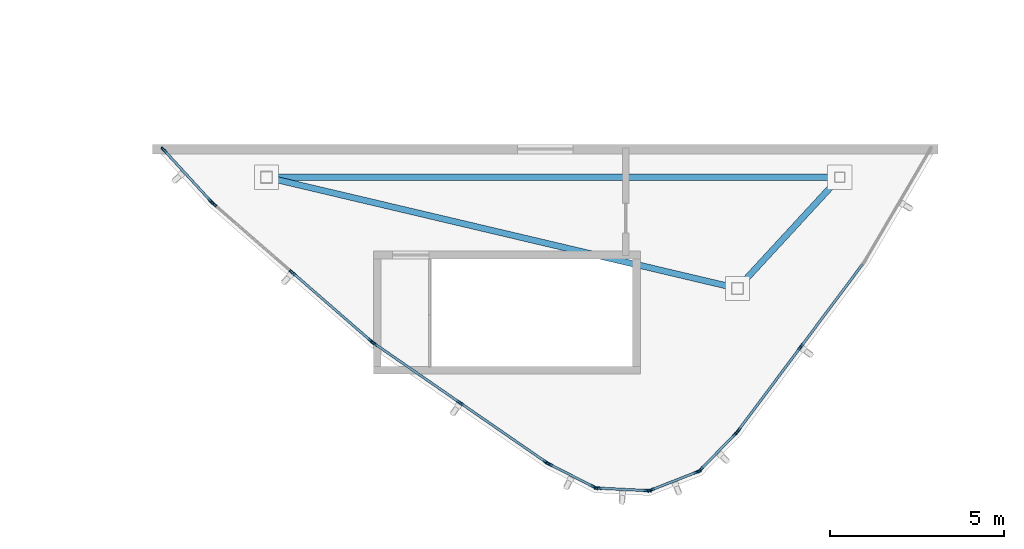
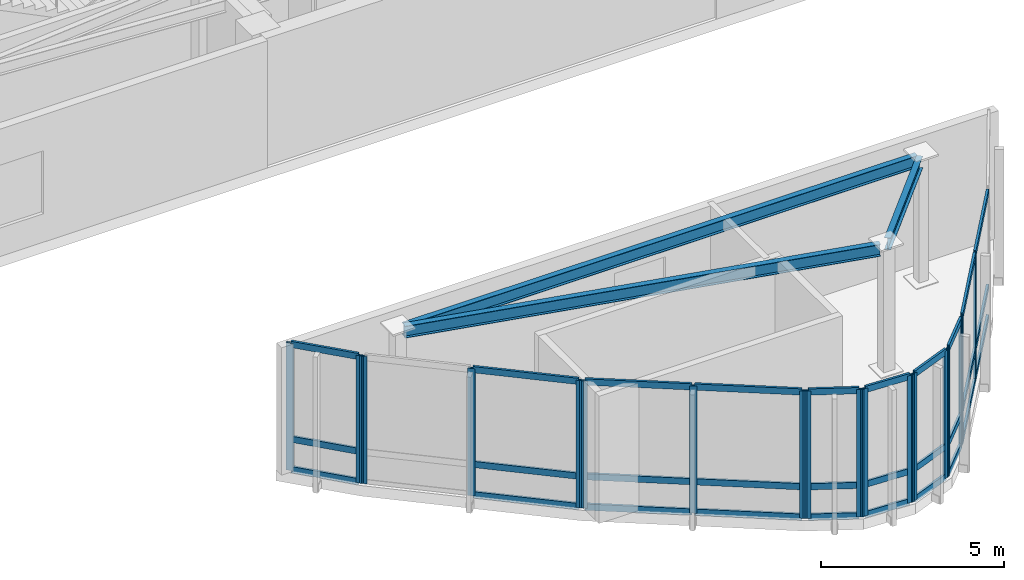
# One storey, part 2 of 15: 48 members, 3 beams, 8 elements without a shape of their own.
"""IFC4 building model written with IfcOpenShell, lengths in metres."""

import ifcopenshell
import ifcopenshell.guid

model = None  # the IFC model being written
_history = None  # IfcOwnerHistory: only IFC2X3 demands one
_inside = {}  # id of a spatial element -> (the spatial element, [elements in it])
_under = {}  # id of a project, library or spatial element -> (it, [spatial elements below it])
_declared = {}  # id of a project -> (the project, [libraries it declares])
_typed = {}  # id of a type object -> (the type object, [elements of that type])
_made_of = {}  # id of a material, layer set ... -> (it, [elements and type objects made of it])


def new_model(schema):
    """Start an empty IFC model of exactly this schema.

    Asked for "IFC4X3", IfcOpenShell would pick the latest addendum, in which some entities
    have other attributes; the version numbers below select the first issue.
    IFC2X3 requires an IfcOwnerHistory on every rooted entity: one is made here for all.
    """
    global model, _history
    if schema == "IFC4X3":
        model = ifcopenshell.file(schema_version=(4, 3, 0, 0))
    else:
        model = ifcopenshell.file(schema=schema)
    _inside.clear()
    _under.clear()
    _declared.clear()
    _typed.clear()
    _made_of.clear()
    _history = None
    if model.schema == "IFC2X3":
        org = make("IfcOrganization", Name="unknown")
        user = make(
            "IfcPersonAndOrganization",
            ThePerson=make("IfcPerson", FamilyName="unknown"),
            TheOrganization=org,
        )
        app = make(
            "IfcApplication",
            ApplicationDeveloper=org,
            Version="unknown",
            ApplicationFullName="unknown",
            ApplicationIdentifier="unknown",
        )
        _history = make(
            "IfcOwnerHistory",
            OwningUser=user,
            OwningApplication=app,
            ChangeAction="ADDED",
            CreationDate=0,
        )
    return model


def make(cls, **values):
    """One entity of the class cls with the attributes given. An attribute that is None is left unset."""
    return model.create_entity(
        cls, **{name: value for name, value in values.items() if value is not None}
    )


def rooted(cls, **values):
    """An entity with a GlobalId (a new one), such as an element, a storey or a relation."""
    return make(cls, GlobalId=ifcopenshell.guid.new(), OwnerHistory=_history, **values)


def si_unit(unit_type, name, prefix=None):
    """IfcSIUnit, for example si_unit("LENGTHUNIT", "METRE", prefix="MILLI")."""
    return make("IfcSIUnit", UnitType=unit_type, Prefix=prefix, Name=name)


def assignment(units):
    """IfcUnitAssignment: the units of a project."""
    return None if units is None else make("IfcUnitAssignment", Units=units)


def point(xyz):
    """IfcCartesianPoint."""
    return None if xyz is None else make("IfcCartesianPoint", Coordinates=xyz)


def direction(xyz):
    """IfcDirection."""
    return None if xyz is None else make("IfcDirection", DirectionRatios=xyz)


def frame(location, z_axis=None, x_axis=None):
    """IfcAxis2Placement3D, a coordinate frame: its origin and axes. An axis left out is left unset."""
    return make(
        "IfcAxis2Placement3D",
        Location=point(location),
        Axis=direction(z_axis),
        RefDirection=direction(x_axis),
    )


def frame_2d(location, x_axis=None):
    """IfcAxis2Placement2D, a coordinate frame in the plane: its origin and x axis."""
    return make(
        "IfcAxis2Placement2D", Location=point(location), RefDirection=direction(x_axis)
    )


def origin():
    """The frame at (0, 0, 0) with its axes left unset."""
    return frame((0.0, 0.0, 0.0))


def origin_2d():
    """The frame at (0, 0) in the plane with its x axis left unset."""
    return frame_2d((0.0, 0.0))


def place(relative_to, where):
    """IfcLocalPlacement: puts the frame where relative to a parent placement (None: the world)."""
    return make(
        "IfcLocalPlacement", PlacementRelTo=relative_to, RelativePlacement=where
    )


def context(
    kind, dimensions, precision=None, world=None, true_north=None, identifier=None
):
    """IfcGeometricRepresentationContext, for example the 3D "Model" context."""
    return make(
        "IfcGeometricRepresentationContext",
        ContextIdentifier=identifier,
        ContextType=kind,
        CoordinateSpaceDimension=dimensions,
        Precision=precision,
        WorldCoordinateSystem=world,
        TrueNorth=true_north,
    )


def subcontext(parent, identifier, kind, view, scale=None):
    """IfcGeometricRepresentationSubContext, for example "Body" below "Model"."""
    return make(
        "IfcGeometricRepresentationSubContext",
        ContextIdentifier=identifier,
        ContextType=kind,
        ParentContext=parent,
        TargetScale=scale,
        TargetView=view,
    )


def project(units=None, contexts=None):
    """IfcProject with its units and contexts."""
    return rooted(
        "IfcProject",
        Name="project",
        RepresentationContexts=contexts,
        UnitsInContext=assignment(units),
    )


def spatial(cls, under=None, at=None, **own):
    """A site, building, storey or space (cls), placed at a placement, below another one or the project."""
    s = rooted(cls, ObjectPlacement=at, **own)
    if under is not None:
        _under.setdefault(under.id(), (under, []))[1].append(s)
    return s


def profile(cls, at=None, kind="AREA", **sizes):
    """A parametric profile (cls). Its sizes go by their IFC names, for example OverallWidth=200.0."""
    return make(cls, ProfileType=kind, Position=at, **sizes)


def hollow_rectangle(**sizes):
    """IfcRectangleHollowProfileDef."""
    return profile("IfcRectangleHollowProfileDef", **sizes)


def i_section(**sizes):
    """IfcIShapeProfileDef."""
    return profile("IfcIShapeProfileDef", **sizes)


def extrude(swept, where, along, depth):
    """IfcExtrudedAreaSolid: the profile swept, set in the frame where, extruded along a direction by depth."""
    return make(
        "IfcExtrudedAreaSolid",
        SweptArea=swept,
        Position=where,
        ExtrudedDirection=direction(along),
        Depth=depth,
    )


def shape(context_of_items, identifier, shape_type, items):
    """IfcShapeRepresentation: the items that make up one representation, for example the "Body"."""
    return make(
        "IfcShapeRepresentation",
        ContextOfItems=context_of_items,
        RepresentationIdentifier=identifier,
        RepresentationType=shape_type,
        Items=items,
    )


def source(mapping_origin, context_of_items, identifier, shape_type, items):
    """IfcRepresentationMap: a shape defined once, which mapped items show again and again."""
    return make(
        "IfcRepresentationMap",
        MappingOrigin=mapping_origin,
        MappedRepresentation=shape(context_of_items, identifier, shape_type, items),
    )


def transform(
    local_origin,
    x_axis=None,
    y_axis=None,
    z_axis=None,
    scale=None,
    scale2=None,
    scale3=None,
    uniform=True,
):
    """IfcCartesianTransformationOperator3D, or its non-uniform kind. x_axis, y_axis, z_axis: its Axis1, 2, 3."""
    if uniform:
        return make(
            "IfcCartesianTransformationOperator3D",
            Axis1=direction(x_axis),
            Axis2=direction(y_axis),
            LocalOrigin=point(local_origin),
            Scale=scale,
            Axis3=direction(z_axis),
        )
    return make(
        "IfcCartesianTransformationOperator3DnonUniform",
        Axis1=direction(x_axis),
        Axis2=direction(y_axis),
        LocalOrigin=point(local_origin),
        Scale=scale,
        Axis3=direction(z_axis),
        Scale2=scale2,
        Scale3=scale3,
    )


def mapped(mapping_source, mapping_target):
    """IfcMappedItem: shows the shape of a source again, moved by a transform."""
    return make(
        "IfcMappedItem", MappingSource=mapping_source, MappingTarget=mapping_target
    )


def material(Name=None, Category=None):
    """IfcMaterial."""
    return make("IfcMaterial", Name=Name, Category=Category)


def layer(
    of_material, thickness, ventilated=None, Name=None, Category=None, Priority=None
):
    """IfcMaterialLayer: one layer of a wall or slab, of a material (None: an air gap)."""
    return make(
        "IfcMaterialLayer",
        Material=of_material,
        LayerThickness=thickness,
        IsVentilated=ventilated,
        Name=Name,
        Category=Category,
        Priority=Priority,
    )


def layer_set(layers, Name=None):
    """IfcMaterialLayerSet."""
    return make("IfcMaterialLayerSet", MaterialLayers=layers, LayerSetName=Name)


def material_profile(
    of_material, cross_section, Name=None, Category=None, Priority=None
):
    """IfcMaterialProfile: a cross section and its material."""
    return make(
        "IfcMaterialProfile",
        Name=Name,
        Material=of_material,
        Profile=cross_section,
        Priority=Priority,
        Category=Category,
    )


def profile_set(profiles, Name=None, composite=None):
    """IfcMaterialProfileSet."""
    return make(
        "IfcMaterialProfileSet",
        Name=Name,
        MaterialProfiles=profiles,
        CompositeProfile=composite,
    )


def made_of(thing, what):
    """Note that an element or type object is made of a material, layer set ...; save() writes the relation."""
    if what is not None:
        _made_of.setdefault(what.id(), (what, []))[1].append(thing)
    return thing


def type_object(cls, material=None, **own):
    """A type object (cls), such as IfcWallType, which elements share."""
    return made_of(rooted(cls, **own), material)


def type_shapes(of_type, sources):
    """Give a type object the sources (RepresentationMaps) that its elements show as mapped items."""
    of_type.RepresentationMaps = sources


def element(
    cls,
    number,
    at=None,
    inside=None,
    cuts=None,
    type_object=None,
    material=None,
    context=None,
    identifier="Body",
    shape_type=None,
    held_by="IfcProductDefinitionShape",
    body=None,
    shapes=None,
    **own,
):
    """One element of the class cls, such as IfcWall. Its Tag is "e" and its number.

    at: its placement. inside: the storey or other place that contains it. cuts: it is an
    opening in that element (IfcRelVoidsElement). A single representation is given by context,
    identifier, shape_type and body (its items); several are given by shapes. held_by: the class
    of the entity that holds the representations. save() writes the other relations.
    """
    e = rooted(cls, Tag="e%d" % number, ObjectPlacement=at, **own)
    if body is not None:
        shapes = [shape(context, identifier, shape_type, body)]
    if shapes is not None:
        e.Representation = make(held_by, Representations=shapes)
    if inside is not None:
        _inside.setdefault(inside.id(), (inside, []))[1].append(e)
    if cuts is not None:
        rooted(
            "IfcRelVoidsElement", RelatingBuildingElement=cuts, RelatedOpeningElement=e
        )
    if type_object is not None:
        _typed.setdefault(type_object.id(), (type_object, []))[1].append(e)
    return made_of(e, material)


def aggregate(whole, parts):
    """IfcRelAggregates: a whole, such as a stair, and the parts it consists of."""
    return rooted("IfcRelAggregates", RelatingObject=whole, RelatedObjects=parts)


def save(model, path):
    """Write the relations noted so far, then the file.

    IfcRelAggregates (storeys below a building ...), IfcRelContainedInSpatialStructure (elements
    in a storey), IfcRelDefinesByType, IfcRelAssociatesMaterial and IfcRelDeclares: one each for
    every whole, place, type object, material and project.
    """
    for whole, parts in _under.values():
        aggregate(whole, parts)
    for where, things in _inside.values():
        rooted(
            "IfcRelContainedInSpatialStructure",
            RelatedElements=things,
            RelatingStructure=where,
        )
    for kind, things in _typed.values():
        rooted("IfcRelDefinesByType", RelatedObjects=things, RelatingType=kind)
    for what, things in _made_of.values():
        rooted("IfcRelAssociatesMaterial", RelatedObjects=things, RelatingMaterial=what)
    for by, libraries in _declared.values():
        rooted("IfcRelDeclares", RelatingContext=by, RelatedDefinitions=libraries)
    model.write(path)


model = new_model("IFC4")

# Units and contexts
model_context = context("Model", 3, precision=1e-05, world=origin(), true_north=direction((0.0, 1.0)))
body_context = subcontext(model_context, "Body", "Model", "MODEL_VIEW")
ifc_project = project(units=[si_unit("LENGTHUNIT", "METRE"), si_unit("AREAUNIT", "SQUARE_METRE"), si_unit("VOLUMEUNIT", "CUBIC_METRE"), si_unit("PLANEANGLEUNIT", "RADIAN"), si_unit("MASSUNIT", "GRAM", prefix="KILO")], contexts=[model_context])

# Site, building, storey
site_placement = place(None, origin())
site = spatial("IfcSite", under=ifc_project, at=site_placement, CompositionType="ELEMENT")
building_placement = place(site_placement, origin())
building = spatial("IfcBuilding", under=site, at=building_placement, Name="Tavelor Broadcast Tower", CompositionType="ELEMENT")
storey_placement = place(building_placement, frame((0.0, 0.0, 341.300048828125)))
storey = spatial("IfcBuildingStorey", under=building, at=storey_placement, Name="L81", CompositionType="ELEMENT", Elevation=341.300048828125)

# Beams
ifc_material_1 = material(Name="Steel S355", Category="steel")
ifc_material_profile_1 = material_profile(ifc_material_1, i_section(OverallWidth=0.179931640625, OverallDepth=0.39990234375, WebThickness=0.008544921875, FlangeThickness=0.013427734375, at=origin_2d()), Name="IPE 400")
ifc_profile_set_1 = profile_set([ifc_material_profile_1], Name="Steel S355")
beam_type = type_object("IfcBeamType", Name="Crown Ring Spandrel Beam IPE400", PredefinedType="SPANDREL", material=ifc_profile_set_1)
beam_1_placement = place(storey_placement, frame((52.887939453125, 27.579345703125, 4.050048828125), z_axis=(0.677758220929, 0.73528483866, 0.0), x_axis=(-0.73528483866, 0.677758220929, 0.0)))
element("IfcBeam", 1, at=beam_1_placement, inside=storey, type_object=beam_type, Name="L81 Crown Peak B Ring Spandrel 1", PredefinedType="SPANDREL", context=body_context, shape_type="SweptSolid", body=[
    extrude(i_section(OverallWidth=0.179931640625, OverallDepth=0.39990234375, WebThickness=0.008544921875, FlangeThickness=0.013427734375, at=origin_2d()), origin(), (0.0, 0.0, 1.0), 4.023193359375),
])
beam_2_placement = place(storey_placement, frame((55.5654296875, 30.64990234375, 4.050048828125), z_axis=(-1.0, 0.0, 0.0), x_axis=(0.0, -1.0, 0.0)))
element("IfcBeam", 2, at=beam_2_placement, inside=storey, type_object=beam_type, Name="L81 Crown Peak B Ring Spandrel 2", PredefinedType="SPANDREL", context=body_context, shape_type="SweptSolid", body=[
    extrude(i_section(OverallWidth=0.179931640625, OverallDepth=0.39990234375, WebThickness=0.008544921875, FlangeThickness=0.013427734375, at=origin_2d()), origin(), (0.0, 0.0, 1.0), 16.189208984375),
])
beam_3_placement = place(storey_placement, frame((39.371337890625, 30.60888671875, 4.050048828125), z_axis=(0.973272024508, -0.229655320664, 0.0), x_axis=(0.229655320664, 0.973272024508, 0.0)))
element("IfcBeam", 3, at=beam_3_placement, inside=storey, type_object=beam_type, Name="L81 Crown Peak B Ring Spandrel 3", PredefinedType="SPANDREL", context=body_context, shape_type="SweptSolid", body=[
    extrude(i_section(OverallWidth=0.179931640625, OverallDepth=0.39990234375, WebThickness=0.008544921875, FlangeThickness=0.013427734375, at=origin_2d()), origin(), (0.0, 0.0, 1.0), 13.5849609375),
])

# Curtain wall, members
ifc_material_2 = material(Name="Architectural Anodized Aluminium", Category="aluminium")
ifc_layer = layer(ifc_material_2, 0.2099609375)
ifc_layer_set = layer_set([ifc_layer], Name="Architectural Anodized Aluminium")
curtain_wall_type = type_object("IfcCurtainWallType", Name="Split-Crown Beacon Curtain Wall CW06", PredefinedType="NOTDEFINED", material=ifc_layer_set)
curtain_wall_1_placement = place(storey_placement, origin())
curtain_wall_1 = element("IfcCurtainWall", 4, at=curtain_wall_1_placement, inside=storey, type_object=curtain_wall_type, Name="L81 Curtain Wall CW06 Run 946", PredefinedType="NOTDEFINED")
ifc_material_profile_2 = material_profile(ifc_material_2, hollow_rectangle(XDim=0.072021484375, YDim=0.2099609375, WallThickness=0.02197265625, at=origin_2d()), Name="RHS 72x210x22")
ifc_profile_set_2 = profile_set([ifc_material_profile_2], Name="Architectural Anodized Aluminium")
member_type_1 = type_object("IfcMemberType", Name="CW06 Extruded Aluminium Mullion 72x210", PredefinedType="MULLION", material=ifc_profile_set_2)
shared_shape_1 = source(origin(), body_context, "Body", "SweptSolid", [
    extrude(hollow_rectangle(XDim=0.072021484375, YDim=0.2099609375, WallThickness=0.02197265625, at=origin_2d()), origin(), (0.0, 0.0, 1.0), 4.25),
])
type_shapes(member_type_1, [shared_shape_1])
member_1_placement = place(storey_placement, frame((36.243408203125, 31.433349609375, 0.0), z_axis=(0.0, 0.0, 1.0), x_axis=(0.73710023895, 0.675783425174, 0.0)))
member_1 = element("IfcMember", 5, at=member_1_placement, type_object=member_type_1, Name="CW06 mullion 1", PredefinedType="MULLION", context=body_context, shape_type="MappedRepresentation", body=[
    mapped(shared_shape_1, transform((0.0, 0.0, 0.0), scale=1.0)),
])
member_2_placement = place(storey_placement, frame((37.60009765625, 29.953857421875, 0.0), z_axis=(0.0, 0.0, 1.0), x_axis=(0.73710023895, 0.675783425174, 0.0)))
member_2 = element("IfcMember", 6, at=member_2_placement, type_object=member_type_1, Name="CW06 mullion 2", PredefinedType="MULLION", context=body_context, shape_type="MappedRepresentation", body=[
    mapped(shared_shape_1, transform((0.0, 0.0, 0.0), scale=1.0)),
])

curtain_wall_2_placement = place(storey_placement, origin())
curtain_wall_2 = element("IfcCurtainWall", 7, at=curtain_wall_2_placement, inside=storey, type_object=curtain_wall_type, Name="L81 Curtain Wall CW06 Run 947", PredefinedType="NOTDEFINED")
member_3_placement = place(storey_placement, frame((37.673095703125, 29.8828125, 0.0), z_axis=(0.0, 0.0, 1.0), x_axis=(0.656742254961, 0.754115117571, 0.0)))
member_3 = element("IfcMember", 8, at=member_3_placement, type_object=member_type_1, Name="CW06 mullion 1", PredefinedType="MULLION", context=body_context, shape_type="MappedRepresentation", body=[
    mapped(shared_shape_1, transform((0.0, 0.0, 0.0), scale=1.0)),
])
member_4_placement = place(storey_placement, frame((39.946044921875, 27.9033203125, 0.0), z_axis=(0.0, 0.0, 1.0), x_axis=(0.656742254961, 0.754115117571, 0.0)))
member_4 = element("IfcMember", 9, at=member_4_placement, type_object=member_type_1, Name="CW06 mullion 2", PredefinedType="MULLION", context=body_context, shape_type="MappedRepresentation", body=[
    mapped(shared_shape_1, transform((0.0, 0.0, 0.0), scale=1.0)),
])
member_5_placement = place(storey_placement, frame((42.218994140625, 25.923828125, 0.0), z_axis=(0.0, 0.0, 1.0), x_axis=(0.656742254961, 0.754115117571, 0.0)))
member_5 = element("IfcMember", 10, at=member_5_placement, type_object=member_type_1, Name="CW06 mullion 3", PredefinedType="MULLION", context=body_context, shape_type="MappedRepresentation", body=[
    mapped(shared_shape_1, transform((0.0, 0.0, 0.0), scale=1.0)),
])

curtain_wall_3_placement = place(storey_placement, origin())
curtain_wall_3 = element("IfcCurtainWall", 11, at=curtain_wall_3_placement, inside=storey, type_object=curtain_wall_type, Name="L81 Curtain Wall CW06 Run 948", PredefinedType="NOTDEFINED")
member_6_placement = place(storey_placement, frame((42.299560546875, 25.861328125, 0.0), z_axis=(0.0, 0.0, 1.0), x_axis=(0.568138638892, 0.822932856919, 0.0)))
member_6 = element("IfcMember", 12, at=member_6_placement, type_object=member_type_1, Name="CW06 mullion 1", PredefinedType="MULLION", context=body_context, shape_type="MappedRepresentation", body=[
    mapped(shared_shape_1, transform((0.0, 0.0, 0.0), scale=1.0)),
])
member_7_placement = place(storey_placement, frame((44.779541015625, 24.149169921875, 0.0), z_axis=(0.0, 0.0, 1.0), x_axis=(0.568138638892, 0.822932856919, 0.0)))
member_7 = element("IfcMember", 13, at=member_7_placement, type_object=member_type_1, Name="CW06 mullion 2", PredefinedType="MULLION", context=body_context, shape_type="MappedRepresentation", body=[
    mapped(shared_shape_1, transform((0.0, 0.0, 0.0), scale=1.0)),
])
member_8_placement = place(storey_placement, frame((47.25927734375, 22.43701171875, 0.0), z_axis=(0.0, 0.0, 1.0), x_axis=(0.568138638892, 0.822932856919, 0.0)))
member_8 = element("IfcMember", 14, at=member_8_placement, type_object=member_type_1, Name="CW06 mullion 3", PredefinedType="MULLION", context=body_context, shape_type="MappedRepresentation", body=[
    mapped(shared_shape_1, transform((0.0, 0.0, 0.0), scale=1.0)),
])

curtain_wall_4_placement = place(storey_placement, origin())
curtain_wall_4 = element("IfcCurtainWall", 15, at=curtain_wall_4_placement, inside=storey, type_object=curtain_wall_type, Name="L81 Curtain Wall CW06 Run 949", PredefinedType="NOTDEFINED")
member_9_placement = place(storey_placement, frame((47.3466796875, 22.384765625, 0.0), z_axis=(0.0, 0.0, 1.0), x_axis=(0.456333884936, 0.88980862294, 0.0)))
member_9 = element("IfcMember", 16, at=member_9_placement, type_object=member_type_1, Name="CW06 mullion 1", PredefinedType="MULLION", context=body_context, shape_type="MappedRepresentation", body=[
    mapped(shared_shape_1, transform((0.0, 0.0, 0.0), scale=1.0)),
])
member_10_placement = place(storey_placement, frame((48.64501953125, 21.718994140625, 0.0), z_axis=(0.0, 0.0, 1.0), x_axis=(0.456333884936, 0.88980862294, 0.0)))
member_10 = element("IfcMember", 17, at=member_10_placement, type_object=member_type_1, Name="CW06 mullion 2", PredefinedType="MULLION", context=body_context, shape_type="MappedRepresentation", body=[
    mapped(shared_shape_1, transform((0.0, 0.0, 0.0), scale=1.0)),
])

curtain_wall_5_placement = place(storey_placement, origin())
curtain_wall_5 = element("IfcCurtainWall", 18, at=curtain_wall_5_placement, inside=storey, type_object=curtain_wall_type, Name="L81 Curtain Wall CW06 Run 950", PredefinedType="NOTDEFINED")
member_11_placement = place(storey_placement, frame((48.741455078125, 21.693115234375, 0.0), z_axis=(0.0, 0.0, 1.0), x_axis=(0.049726261335, 0.998762884239, 0.0)))
member_11 = element("IfcMember", 19, at=member_11_placement, type_object=member_type_1, Name="CW06 mullion 1", PredefinedType="MULLION", context=body_context, shape_type="MappedRepresentation", body=[
    mapped(shared_shape_1, transform((0.0, 0.0, 0.0), scale=1.0)),
])
member_12_placement = place(storey_placement, frame((50.177734375, 21.62158203125, 0.0), z_axis=(0.0, 0.0, 1.0), x_axis=(0.049726261335, 0.998762884239, 0.0)))
member_12 = element("IfcMember", 20, at=member_12_placement, type_object=member_type_1, Name="CW06 mullion 2", PredefinedType="MULLION", context=body_context, shape_type="MappedRepresentation", body=[
    mapped(shared_shape_1, transform((0.0, 0.0, 0.0), scale=1.0)),
])

curtain_wall_6_placement = place(storey_placement, origin())
curtain_wall_6 = element("IfcCurtainWall", 21, at=curtain_wall_6_placement, inside=storey, type_object=curtain_wall_type, Name="L81 Curtain Wall CW06 Run 951", PredefinedType="NOTDEFINED")
member_13_placement = place(storey_placement, frame((50.276123046875, 21.6376953125, 0.0), z_axis=(0.0, 0.0, 1.0), x_axis=(-0.365709734349, 0.930728956357, 0.0)))
member_13 = element("IfcMember", 22, at=member_13_placement, type_object=member_type_1, Name="CW06 mullion 1", PredefinedType="MULLION", context=body_context, shape_type="MappedRepresentation", body=[
    mapped(shared_shape_1, transform((0.0, 0.0, 0.0), scale=1.0)),
])
member_14_placement = place(storey_placement, frame((51.61474609375, 22.163818359375, 0.0), z_axis=(0.0, 0.0, 1.0), x_axis=(-0.365709734349, 0.930728956357, 0.0)))
member_14 = element("IfcMember", 23, at=member_14_placement, type_object=member_type_1, Name="CW06 mullion 2", PredefinedType="MULLION", context=body_context, shape_type="MappedRepresentation", body=[
    mapped(shared_shape_1, transform((0.0, 0.0, 0.0), scale=1.0)),
])

curtain_wall_7_placement = place(storey_placement, origin())
curtain_wall_7 = element("IfcCurtainWall", 24, at=curtain_wall_7_placement, inside=storey, type_object=curtain_wall_type, Name="L81 Curtain Wall CW06 Run 952", PredefinedType="NOTDEFINED")
member_15_placement = place(storey_placement, frame((51.69775390625, 22.218994140625, 0.0), z_axis=(0.0, 0.0, 1.0), x_axis=(-0.716287337803, 0.697805452618, 0.0)))
member_15 = element("IfcMember", 25, at=member_15_placement, type_object=member_type_1, Name="CW06 mullion 1", PredefinedType="MULLION", context=body_context, shape_type="MappedRepresentation", body=[
    mapped(shared_shape_1, transform((0.0, 0.0, 0.0), scale=1.0)),
])
member_16_placement = place(storey_placement, frame((52.716064453125, 23.26416015625, 0.0), z_axis=(0.0, 0.0, 1.0), x_axis=(-0.716287337803, 0.697805452618, 0.0)))
member_16 = element("IfcMember", 26, at=member_16_placement, type_object=member_type_1, Name="CW06 mullion 2", PredefinedType="MULLION", context=body_context, shape_type="MappedRepresentation", body=[
    mapped(shared_shape_1, transform((0.0, 0.0, 0.0), scale=1.0)),
])

curtain_wall_8_placement = place(storey_placement, origin())
curtain_wall_8 = element("IfcCurtainWall", 27, at=curtain_wall_8_placement, inside=storey, type_object=curtain_wall_type, Name="L81 Curtain Wall CW06 Run 953", PredefinedType="NOTDEFINED")
member_17_placement = place(storey_placement, frame((52.7822265625, 23.341552734375, 0.0), z_axis=(0.0, 0.0, 1.0), x_axis=(-0.800933607815, 0.598753167735, 0.0)))
member_17 = element("IfcMember", 28, at=member_17_placement, type_object=member_type_1, Name="CW06 mullion 1", PredefinedType="MULLION", context=body_context, shape_type="MappedRepresentation", body=[
    mapped(shared_shape_1, transform((0.0, 0.0, 0.0), scale=1.0)),
])
member_18_placement = place(storey_placement, frame((54.58642578125, 25.755126953125, 0.0), z_axis=(0.0, 0.0, 1.0), x_axis=(-0.800933607815, 0.598753167735, 0.0)))
member_18 = element("IfcMember", 29, at=member_18_placement, type_object=member_type_1, Name="CW06 mullion 2", PredefinedType="MULLION", context=body_context, shape_type="MappedRepresentation", body=[
    mapped(shared_shape_1, transform((0.0, 0.0, 0.0), scale=1.0)),
])

# Member
ifc_material_profile_3 = material_profile(ifc_material_2, hollow_rectangle(XDim=0.072021484375, YDim=0.2099609375, WallThickness=0.02197265625, at=origin_2d()), Name="RHS 72x210x22")
ifc_profile_set_3 = profile_set([ifc_material_profile_3], Name="Architectural Anodized Aluminium")
member_type_2 = type_object("IfcMemberType", Name="CW06 Extruded Aluminium Transom 72x210", PredefinedType="USERDEFINED", material=ifc_profile_set_3)
shared_shape_2 = source(origin(), body_context, "Body", "SweptSolid", [
    extrude(hollow_rectangle(XDim=0.072021484375, YDim=0.2099609375, WallThickness=0.02197265625, at=origin_2d()), origin(), (0.0, 0.0, 1.0), 1.38720703125),
])
member_19_placement = place(storey_placement, frame((47.378662109375, 22.368408203125, 0.035888671875), z_axis=(0.889804636549, -0.456341657945, 0.0), x_axis=(0.456341657945, 0.889804636549, 0.0)))
member_19 = element("IfcMember", 30, at=member_19_placement, type_object=member_type_2, Name="CW06 transom 1.1", ObjectType="TRANSOM", PredefinedType="USERDEFINED", context=body_context, shape_type="MappedRepresentation", body=[
    mapped(shared_shape_2, transform((0.0, 0.0, 0.0), scale=1.0)),
])

member_20_placement = place(storey_placement, frame((47.378662109375, 22.368408203125, 1.050048828125), z_axis=(0.889804636549, -0.456341657945, 0.0), x_axis=(0.456341657945, 0.889804636549, 0.0)))
member_20 = element("IfcMember", 31, at=member_20_placement, type_object=member_type_2, Name="CW06 transom 1.2", ObjectType="TRANSOM", PredefinedType="USERDEFINED", context=body_context, shape_type="MappedRepresentation", body=[
    mapped(shared_shape_2, transform((0.0, 0.0, 0.0), scale=1.0)),
])

member_21_placement = place(storey_placement, frame((47.378662109375, 22.368408203125, 4.2138671875), z_axis=(0.889804636549, -0.456341657945, 0.0), x_axis=(0.456341657945, 0.889804636549, 0.0)))
member_21 = element("IfcMember", 32, at=member_21_placement, type_object=member_type_2, Name="CW06 transom 1.3", ObjectType="TRANSOM", PredefinedType="USERDEFINED", context=body_context, shape_type="MappedRepresentation", body=[
    mapped(shared_shape_2, transform((0.0, 0.0, 0.0), scale=1.0)),
])

aggregate(curtain_wall_4, [member_9, member_10, member_19, member_20, member_21])

member_22_placement = place(storey_placement, frame((51.722900390625, 22.24462890625, 0.035888671875), z_axis=(0.697806852171, 0.716285974359, 0.0), x_axis=(-0.716285974359, 0.697806852171, 0.0)))
member_22 = element("IfcMember", 33, at=member_22_placement, type_object=member_type_2, Name="CW06 transom 1.1", ObjectType="TRANSOM", PredefinedType="USERDEFINED", context=body_context, shape_type="MappedRepresentation", body=[
    mapped(shared_shape_2, transform((0.0, 0.0, 0.0), scale=1.0)),
])

member_23_placement = place(storey_placement, frame((51.722900390625, 22.24462890625, 1.050048828125), z_axis=(0.697806852171, 0.716285974359, 0.0), x_axis=(-0.716285974359, 0.697806852171, 0.0)))
member_23 = element("IfcMember", 34, at=member_23_placement, type_object=member_type_2, Name="CW06 transom 1.2", ObjectType="TRANSOM", PredefinedType="USERDEFINED", context=body_context, shape_type="MappedRepresentation", body=[
    mapped(shared_shape_2, transform((0.0, 0.0, 0.0), scale=1.0)),
])

member_24_placement = place(storey_placement, frame((51.722900390625, 22.24462890625, 4.2138671875), z_axis=(0.697806852171, 0.716285974359, 0.0), x_axis=(-0.716285974359, 0.697806852171, 0.0)))
member_24 = element("IfcMember", 35, at=member_24_placement, type_object=member_type_2, Name="CW06 transom 1.3", ObjectType="TRANSOM", PredefinedType="USERDEFINED", context=body_context, shape_type="MappedRepresentation", body=[
    mapped(shared_shape_2, transform((0.0, 0.0, 0.0), scale=1.0)),
])

aggregate(curtain_wall_7, [member_15, member_16, member_22, member_23, member_24])

shared_shape_3 = source(origin(), body_context, "Body", "SweptSolid", [
    extrude(hollow_rectangle(XDim=0.072021484375, YDim=0.2099609375, WallThickness=0.02197265625, at=origin_2d()), origin(), (0.0, 0.0, 1.0), 1.3662109375),
])
member_25_placement = place(storey_placement, frame((48.77734375, 21.69140625, 0.035888671875), z_axis=(0.998765229015, -0.049679143615, 0.0), x_axis=(0.049679143615, 0.998765229015, 0.0)))
member_25 = element("IfcMember", 36, at=member_25_placement, type_object=member_type_2, Name="CW06 transom 1.1", ObjectType="TRANSOM", PredefinedType="USERDEFINED", context=body_context, shape_type="MappedRepresentation", body=[
    mapped(shared_shape_3, transform((0.0, 0.0, 0.0), scale=1.0)),
])

member_26_placement = place(storey_placement, frame((48.77734375, 21.69140625, 1.050048828125), z_axis=(0.998765229015, -0.049679143615, 0.0), x_axis=(0.049679143615, 0.998765229015, 0.0)))
member_26 = element("IfcMember", 37, at=member_26_placement, type_object=member_type_2, Name="CW06 transom 1.2", ObjectType="TRANSOM", PredefinedType="USERDEFINED", context=body_context, shape_type="MappedRepresentation", body=[
    mapped(shared_shape_3, transform((0.0, 0.0, 0.0), scale=1.0)),
])

member_27_placement = place(storey_placement, frame((48.77734375, 21.69140625, 4.2138671875), z_axis=(0.998765229015, -0.049679143615, 0.0), x_axis=(0.049679143615, 0.998765229015, 0.0)))
member_27 = element("IfcMember", 38, at=member_27_placement, type_object=member_type_2, Name="CW06 transom 1.3", ObjectType="TRANSOM", PredefinedType="USERDEFINED", context=body_context, shape_type="MappedRepresentation", body=[
    mapped(shared_shape_3, transform((0.0, 0.0, 0.0), scale=1.0)),
])

aggregate(curtain_wall_5, [member_11, member_12, member_25, member_26, member_27])

member_28_placement = place(storey_placement, frame((50.309814453125, 21.65087890625, 0.035888671875), z_axis=(0.930690661952, 0.365807178382, 0.0), x_axis=(-0.365807178382, 0.930690661952, 0.0)))
member_28 = element("IfcMember", 39, at=member_28_placement, type_object=member_type_2, Name="CW06 transom 1.1", ObjectType="TRANSOM", PredefinedType="USERDEFINED", context=body_context, shape_type="MappedRepresentation", body=[
    mapped(shared_shape_3, transform((0.0, 0.0, 0.0), scale=1.0)),
])

member_29_placement = place(storey_placement, frame((50.309814453125, 21.65087890625, 1.050048828125), z_axis=(0.930690661952, 0.365807178382, 0.0), x_axis=(-0.365807178382, 0.930690661952, 0.0)))
member_29 = element("IfcMember", 40, at=member_29_placement, type_object=member_type_2, Name="CW06 transom 1.2", ObjectType="TRANSOM", PredefinedType="USERDEFINED", context=body_context, shape_type="MappedRepresentation", body=[
    mapped(shared_shape_3, transform((0.0, 0.0, 0.0), scale=1.0)),
])

member_30_placement = place(storey_placement, frame((50.309814453125, 21.65087890625, 4.2138671875), z_axis=(0.930690661952, 0.365807178382, 0.0), x_axis=(-0.365807178382, 0.930690661952, 0.0)))
member_30 = element("IfcMember", 41, at=member_30_placement, type_object=member_type_2, Name="CW06 transom 1.3", ObjectType="TRANSOM", PredefinedType="USERDEFINED", context=body_context, shape_type="MappedRepresentation", body=[
    mapped(shared_shape_3, transform((0.0, 0.0, 0.0), scale=1.0)),
])

aggregate(curtain_wall_6, [member_13, member_14, member_28, member_29, member_30])

shared_shape_4 = source(origin(), body_context, "Body", "SweptSolid", [
    extrude(hollow_rectangle(XDim=0.072021484375, YDim=0.2099609375, WallThickness=0.02197265625, at=origin_2d()), origin(), (0.0, 0.0, 1.0), 2.94140625),
])
member_31_placement = place(storey_placement, frame((42.3291015625, 25.8408203125, 0.035888671875), z_axis=(0.822938477724, -0.568130497229, 0.0), x_axis=(0.568130497229, 0.822938477724, 0.0)))
member_31 = element("IfcMember", 42, at=member_31_placement, type_object=member_type_2, Name="CW06 transom 1.1", ObjectType="TRANSOM", PredefinedType="USERDEFINED", context=body_context, shape_type="MappedRepresentation", body=[
    mapped(shared_shape_4, transform((0.0, 0.0, 0.0), scale=1.0)),
])

member_32_placement = place(storey_placement, frame((42.3291015625, 25.8408203125, 1.050048828125), z_axis=(0.822938477724, -0.568130497229, 0.0), x_axis=(0.568130497229, 0.822938477724, 0.0)))
member_32 = element("IfcMember", 43, at=member_32_placement, type_object=member_type_2, Name="CW06 transom 1.2", ObjectType="TRANSOM", PredefinedType="USERDEFINED", context=body_context, shape_type="MappedRepresentation", body=[
    mapped(shared_shape_4, transform((0.0, 0.0, 0.0), scale=1.0)),
])

member_33_placement = place(storey_placement, frame((42.3291015625, 25.8408203125, 4.2138671875), z_axis=(0.822938477724, -0.568130497229, 0.0), x_axis=(0.568130497229, 0.822938477724, 0.0)))
member_33 = element("IfcMember", 44, at=member_33_placement, type_object=member_type_2, Name="CW06 transom 1.3", ObjectType="TRANSOM", PredefinedType="USERDEFINED", context=body_context, shape_type="MappedRepresentation", body=[
    mapped(shared_shape_4, transform((0.0, 0.0, 0.0), scale=1.0)),
])

member_34_placement = place(storey_placement, frame((44.80908203125, 24.128662109375, 0.035888671875), z_axis=(0.822938477724, -0.568130497229, 0.0), x_axis=(0.568130497229, 0.822938477724, 0.0)))
member_34 = element("IfcMember", 45, at=member_34_placement, type_object=member_type_2, Name="CW06 transom 2.1", ObjectType="TRANSOM", PredefinedType="USERDEFINED", context=body_context, shape_type="MappedRepresentation", body=[
    mapped(shared_shape_4, transform((0.0, 0.0, 0.0), scale=1.0)),
])

member_35_placement = place(storey_placement, frame((44.80908203125, 24.128662109375, 1.050048828125), z_axis=(0.822938477724, -0.568130497229, 0.0), x_axis=(0.568130497229, 0.822938477724, 0.0)))
member_35 = element("IfcMember", 46, at=member_35_placement, type_object=member_type_2, Name="CW06 transom 2.2", ObjectType="TRANSOM", PredefinedType="USERDEFINED", context=body_context, shape_type="MappedRepresentation", body=[
    mapped(shared_shape_4, transform((0.0, 0.0, 0.0), scale=1.0)),
])

member_36_placement = place(storey_placement, frame((44.80908203125, 24.128662109375, 4.2138671875), z_axis=(0.822938477724, -0.568130497229, 0.0), x_axis=(0.568130497229, 0.822938477724, 0.0)))
member_36 = element("IfcMember", 47, at=member_36_placement, type_object=member_type_2, Name="CW06 transom 2.3", ObjectType="TRANSOM", PredefinedType="USERDEFINED", context=body_context, shape_type="MappedRepresentation", body=[
    mapped(shared_shape_4, transform((0.0, 0.0, 0.0), scale=1.0)),
])

aggregate(curtain_wall_3, [member_6, member_7, member_8, member_31, member_32, member_33, member_34, member_35, member_36])

member_37_placement = place(storey_placement, frame((52.8037109375, 23.370361328125, 0.035888671875), z_axis=(0.598750972562, 0.800935248853, 0.0), x_axis=(-0.800935248853, 0.598750972562, 0.0)))
member_37 = element("IfcMember", 48, at=member_37_placement, type_object=member_type_2, Name="CW06 transom 1.1", ObjectType="TRANSOM", PredefinedType="USERDEFINED", context=body_context, shape_type="MappedRepresentation", body=[
    mapped(shared_shape_4, transform((0.0, 0.0, 0.0), scale=1.0)),
])

member_38_placement = place(storey_placement, frame((52.8037109375, 23.370361328125, 1.050048828125), z_axis=(0.598750972562, 0.800935248853, 0.0), x_axis=(-0.800935248853, 0.598750972562, 0.0)))
member_38 = element("IfcMember", 49, at=member_38_placement, type_object=member_type_2, Name="CW06 transom 1.2", ObjectType="TRANSOM", PredefinedType="USERDEFINED", context=body_context, shape_type="MappedRepresentation", body=[
    mapped(shared_shape_4, transform((0.0, 0.0, 0.0), scale=1.0)),
])

member_39_placement = place(storey_placement, frame((52.8037109375, 23.370361328125, 4.2138671875), z_axis=(0.598750972562, 0.800935248853, 0.0), x_axis=(-0.800935248853, 0.598750972562, 0.0)))
member_39 = element("IfcMember", 50, at=member_39_placement, type_object=member_type_2, Name="CW06 transom 1.3", ObjectType="TRANSOM", PredefinedType="USERDEFINED", context=body_context, shape_type="MappedRepresentation", body=[
    mapped(shared_shape_4, transform((0.0, 0.0, 0.0), scale=1.0)),
])

member_40_placement = place(storey_placement, frame((54.608154296875, 25.783935546875, 0.035888671875), z_axis=(0.598750972562, 0.800935248853, 0.0), x_axis=(-0.800935248853, 0.598750972562, 0.0)))
member_40 = element("IfcMember", 51, at=member_40_placement, type_object=member_type_2, Name="CW06 transom 2.1", ObjectType="TRANSOM", PredefinedType="USERDEFINED", context=body_context, shape_type="MappedRepresentation", body=[
    mapped(shared_shape_4, transform((0.0, 0.0, 0.0), scale=1.0)),
])

member_41_placement = place(storey_placement, frame((54.608154296875, 25.783935546875, 1.050048828125), z_axis=(0.598750972562, 0.800935248853, 0.0), x_axis=(-0.800935248853, 0.598750972562, 0.0)))
member_41 = element("IfcMember", 52, at=member_41_placement, type_object=member_type_2, Name="CW06 transom 2.2", ObjectType="TRANSOM", PredefinedType="USERDEFINED", context=body_context, shape_type="MappedRepresentation", body=[
    mapped(shared_shape_4, transform((0.0, 0.0, 0.0), scale=1.0)),
])

member_42_placement = place(storey_placement, frame((54.608154296875, 25.783935546875, 4.2138671875), z_axis=(0.598750972562, 0.800935248853, 0.0), x_axis=(-0.800935248853, 0.598750972562, 0.0)))
member_42 = element("IfcMember", 53, at=member_42_placement, type_object=member_type_2, Name="CW06 transom 2.3", ObjectType="TRANSOM", PredefinedType="USERDEFINED", context=body_context, shape_type="MappedRepresentation", body=[
    mapped(shared_shape_4, transform((0.0, 0.0, 0.0), scale=1.0)),
])

aggregate(curtain_wall_8, [member_17, member_18, member_37, member_38, member_39, member_40, member_41, member_42])

shared_shape_5 = source(origin(), body_context, "Body", "SweptSolid", [
    extrude(hollow_rectangle(XDim=0.072021484375, YDim=0.2099609375, WallThickness=0.02197265625, at=origin_2d()), origin(), (0.0, 0.0, 1.0), 2.9423828125),
])
member_43_placement = place(storey_placement, frame((39.97314453125, 27.879638671875, 0.035888671875), z_axis=(0.754096178072, -0.656764001919, 0.0), x_axis=(0.656764001919, 0.754096178072, 0.0)))
member_43 = element("IfcMember", 54, at=member_43_placement, type_object=member_type_2, Name="CW06 transom 2.1", ObjectType="TRANSOM", PredefinedType="USERDEFINED", context=body_context, shape_type="MappedRepresentation", body=[
    mapped(shared_shape_5, transform((0.0, 0.0, 0.0), scale=1.0)),
])

member_44_placement = place(storey_placement, frame((39.97314453125, 27.879638671875, 1.050048828125), z_axis=(0.754096178072, -0.656764001919, 0.0), x_axis=(0.656764001919, 0.754096178072, 0.0)))
member_44 = element("IfcMember", 55, at=member_44_placement, type_object=member_type_2, Name="CW06 transom 2.2", ObjectType="TRANSOM", PredefinedType="USERDEFINED", context=body_context, shape_type="MappedRepresentation", body=[
    mapped(shared_shape_5, transform((0.0, 0.0, 0.0), scale=1.0)),
])

member_45_placement = place(storey_placement, frame((39.97314453125, 27.879638671875, 4.2138671875), z_axis=(0.754096178072, -0.656764001919, 0.0), x_axis=(0.656764001919, 0.754096178072, 0.0)))
member_45 = element("IfcMember", 56, at=member_45_placement, type_object=member_type_2, Name="CW06 transom 2.3", ObjectType="TRANSOM", PredefinedType="USERDEFINED", context=body_context, shape_type="MappedRepresentation", body=[
    mapped(shared_shape_5, transform((0.0, 0.0, 0.0), scale=1.0)),
])

aggregate(curtain_wall_2, [member_3, member_4, member_5, member_43, member_44, member_45])

shared_shape_6 = source(origin(), body_context, "Body", "SweptSolid", [
    extrude(hollow_rectangle(XDim=0.072021484375, YDim=0.2099609375, WallThickness=0.02197265625, at=origin_2d()), origin(), (0.0, 0.0, 1.0), 1.935302734375),
])
type_shapes(member_type_2, [shared_shape_2, shared_shape_3, shared_shape_4, shared_shape_5, shared_shape_6])
member_46_placement = place(storey_placement, frame((36.267822265625, 31.406982421875, 0.035888671875), z_axis=(0.675787463221, -0.737096536793, 0.0), x_axis=(0.737096536793, 0.675787463221, 0.0)))
member_46 = element("IfcMember", 57, at=member_46_placement, type_object=member_type_2, Name="CW06 transom 1.1", ObjectType="TRANSOM", PredefinedType="USERDEFINED", context=body_context, shape_type="MappedRepresentation", body=[
    mapped(shared_shape_6, transform((0.0, 0.0, 0.0), scale=1.0)),
])

member_47_placement = place(storey_placement, frame((36.267822265625, 31.406982421875, 1.050048828125), z_axis=(0.675787463221, -0.737096536793, 0.0), x_axis=(0.737096536793, 0.675787463221, 0.0)))
member_47 = element("IfcMember", 58, at=member_47_placement, type_object=member_type_2, Name="CW06 transom 1.2", ObjectType="TRANSOM", PredefinedType="USERDEFINED", context=body_context, shape_type="MappedRepresentation", body=[
    mapped(shared_shape_6, transform((0.0, 0.0, 0.0), scale=1.0)),
])

member_48_placement = place(storey_placement, frame((36.267822265625, 31.406982421875, 4.2138671875), z_axis=(0.675787463221, -0.737096536793, 0.0), x_axis=(0.737096536793, 0.675787463221, 0.0)))
member_48 = element("IfcMember", 59, at=member_48_placement, type_object=member_type_2, Name="CW06 transom 1.3", ObjectType="TRANSOM", PredefinedType="USERDEFINED", context=body_context, shape_type="MappedRepresentation", body=[
    mapped(shared_shape_6, transform((0.0, 0.0, 0.0), scale=1.0)),
])

aggregate(curtain_wall_1, [member_1, member_2, member_46, member_47, member_48])

save(model, "model.ifc")
